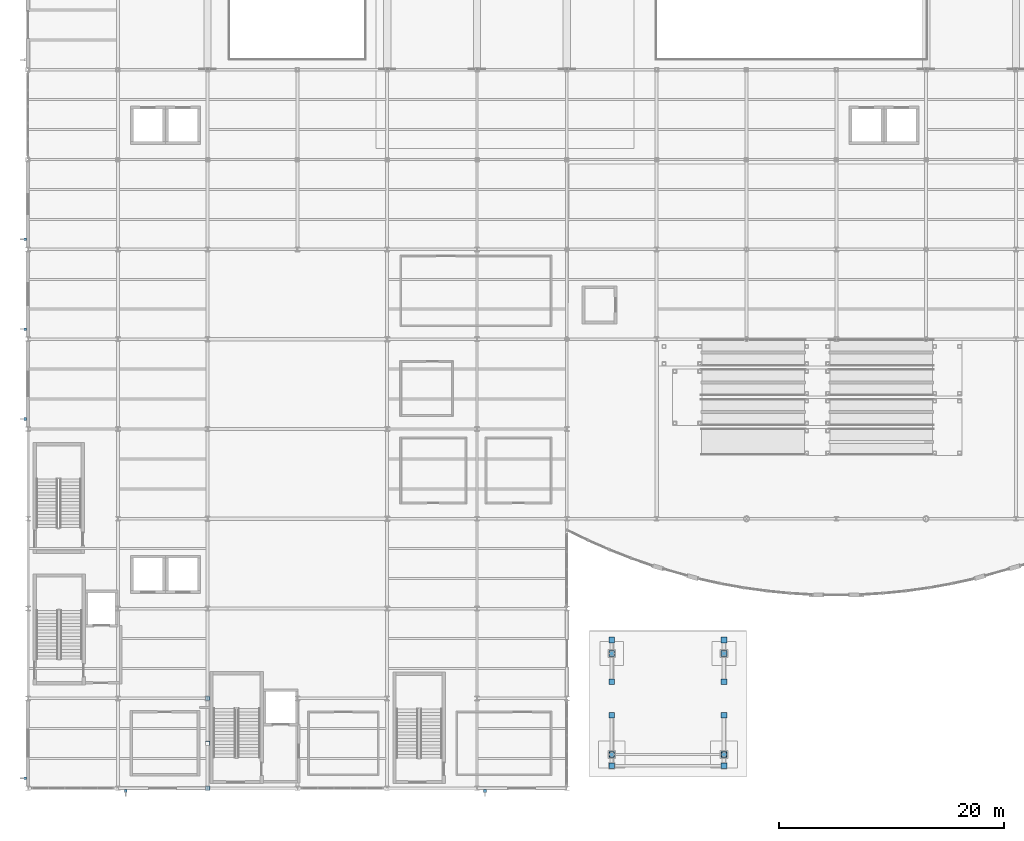
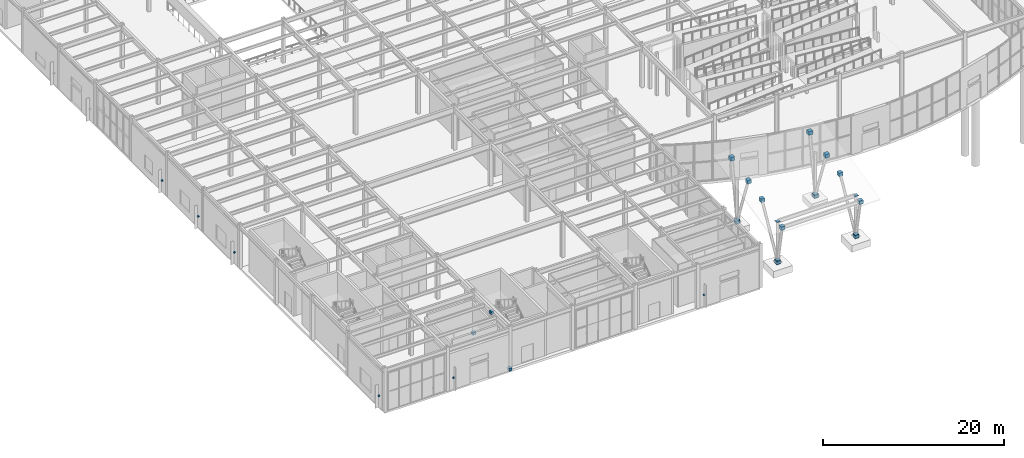
# One storey, part 67 of 82: 23 discrete accessories.
"""IFC4 building model written with IfcOpenShell, lengths in metres."""

from ifc_helpers import new_model, si_unit, direction, frame, origin, origin_2d, place, context, subcontext, project, spatial, rectangle, extrude, material, type_object, element, save


model = new_model("IFC4")

# Units and contexts
model_context = context("Model", 3, precision=1e-05, world=origin(), true_north=direction((0.0, 1.0)))
body_context = subcontext(model_context, "Body", "Model", "MODEL_VIEW")
ifc_project = project(units=[si_unit("LENGTHUNIT", "METRE"), si_unit("AREAUNIT", "SQUARE_METRE"), si_unit("VOLUMEUNIT", "CUBIC_METRE"), si_unit("PLANEANGLEUNIT", "RADIAN"), si_unit("MASSUNIT", "GRAM", prefix="KILO")], contexts=[model_context])

# Site, building, storey
site_placement = place(None, origin())
site = spatial("IfcSite", under=ifc_project, at=site_placement, CompositionType="ELEMENT")
building_placement = place(site_placement, origin())
building = spatial("IfcBuilding", under=site, at=building_placement, Name="Drelvath Fold Interchange", CompositionType="ELEMENT")
storey_placement = place(building_placement, origin())
storey = spatial("IfcBuildingStorey", under=building, at=storey_placement, Name="L00", CompositionType="ELEMENT", Elevation=0.0)

# Discrete accessories
ifc_material_1 = material(Name="Stainless Steel 316L", Category="steel")
discrete_accessory_type_1 = type_object("IfcDiscreteAccessoryType", Name="AC-BRK220", PredefinedType="BRACKET", material=ifc_material_1)
for number, where, z_axis, x_axis, name in (
    (1, (3.762939453125, 3.89208984375, 1.56982421875), (0.0, 0.0, 1.0), (1.0, 0.0, 0.0), "Solar fin bracket 15"),
    (2, (3.762939453125, 35.89306640625, 1.56982421875), (0.0, 0.0, 1.0), (1.0, 0.0, 0.0), "Solar fin bracket 16"),
    (3, (3.762939453125, 43.89306640625, 1.56982421875), (0.0, 0.0, 1.0), (1.0, 0.0, 0.0), "Solar fin bracket 17"),
    (4, (3.762939453125, 51.89306640625, 1.56982421875), (0.0, 0.0, 1.0), (1.0, 0.0, 0.0), "Solar fin bracket 18"),
    (5, (12.712890625, 2.75, 1.56982421875), (0.0, 0.0, 1.0), (0.0, 1.0, 0.0), "Solar fin bracket 19"),
    (6, (44.712890625, 2.75, 1.56982421875), (0.0, 0.0, 1.0), (0.0, 1.0, 0.0), "Solar fin bracket 20"),
):
    element("IfcDiscreteAccessory", number, at=place(storey_placement, frame(where, z_axis=z_axis, x_axis=x_axis)), inside=storey, type_object=discrete_accessory_type_1, Name=name, PredefinedType="BRACKET", context=body_context, shape_type="SweptSolid", body=[
        extrude(rectangle(XDim=0.239990234375, YDim=0.239990234375, at=origin_2d()), origin(), (0.0, 0.0, 1.0), 0.159912109375),
    ])
ifc_material_2 = material(Name="Steel ASTM A572 Grade 50", Category="steel")
discrete_accessory_type_2 = type_object("IfcDiscreteAccessoryType", Name="AC-CAP380", PredefinedType="BRACKET", material=ifc_material_2)
for number, where, z_axis, x_axis, name in (
    (7, (56.0, 6.0009765625, -0.012939453125), (0.0, 0.0, 1.0), (1.0, 0.0, 0.0), "Welded hollow member end cap 514"),
    (8, (56.0, 4.9990234375, 5.21484375), (0.0, 0.0, 1.0), (1.0, 0.0, 0.0), "Welded hollow member end cap 515"),
    (9, (56.0, 9.501953125, 6.2529296875), (0.0, 0.0, 1.0), (1.0, 0.0, 0.0), "Welded hollow member end cap 516"),
    (10, (66.0, 6.0009765625, -0.012939453125), (0.0, 0.0, 1.0), (1.0, 0.0, 0.0), "Welded hollow member end cap 517"),
    (11, (66.0, 4.9990234375, 5.21484375), (0.0, 0.0, 1.0), (1.0, 0.0, 0.0), "Welded hollow member end cap 518"),
    (12, (66.0, 9.501953125, 6.2529296875), (0.0, 0.0, 1.0), (1.0, 0.0, 0.0), "Welded hollow member end cap 519"),
    (13, (56.0, 15.001953125, -0.012939453125), (0.0, 0.0, 1.0), (1.0, 0.0, 0.0), "Welded hollow member end cap 520"),
    (14, (56.0, 12.498046875, 6.947021484375), (0.0, 0.0, 1.0), (1.0, 0.0, 0.0), "Welded hollow member end cap 521"),
    (15, (56.0, 16.200927734375, 7.801025390625), (0.0, 0.0, 1.0), (1.0, 0.0, 0.0), "Welded hollow member end cap 522"),
    (16, (66.0, 15.001953125, -0.012939453125), (0.0, 0.0, 1.0), (1.0, 0.0, 0.0), "Welded hollow member end cap 523"),
    (17, (66.0, 12.498046875, 6.947021484375), (0.0, 0.0, 1.0), (1.0, 0.0, 0.0), "Welded hollow member end cap 524"),
    (18, (66.0, 16.200927734375, 7.801025390625), (0.0, 0.0, 1.0), (1.0, 0.0, 0.0), "Welded hollow member end cap 525"),
):
    element("IfcDiscreteAccessory", number, at=place(storey_placement, frame(where, z_axis=z_axis, x_axis=x_axis)), inside=storey, type_object=discrete_accessory_type_2, Name=name, PredefinedType="BRACKET", context=body_context, shape_type="SweptSolid", body=[
        extrude(rectangle(XDim=0.49609375, YDim=0.49609375, at=origin_2d()), origin(), (0.0, 0.0, 1.0), 0.49609375),
    ])
for number, where, z_axis, x_axis, name in (
    (19, (56.0, 6.0, 5.67919921875), (0.0, 0.0, 1.0), (1.0, 0.0, 0.0), "Welded hollow column end cap 529"),
    (20, (66.0, 6.0, 5.67919921875), (0.0, 0.0, 1.0), (1.0, 0.0, 0.0), "Welded hollow column end cap 530"),
):
    element("IfcDiscreteAccessory", number, at=place(storey_placement, frame(where, z_axis=z_axis, x_axis=x_axis)), inside=storey, type_object=discrete_accessory_type_2, Name=name, PredefinedType="BRACKET", context=body_context, shape_type="SweptSolid", body=[
        extrude(rectangle(XDim=0.446044921875, YDim=0.446044921875, at=origin_2d()), origin(), (0.0, 0.0, 1.0), 0.030029296875),
    ])
for number, where, z_axis, x_axis, name in (
    (21, (20.0, 2.9970703125, -0.041015625), (0.0, 0.0, 1.0), (1.0, 0.0, 0.0), "Welded hollow member end cap 533"),
    (22, (20.0, 7.0029296875, 5.177001953125), (0.0, 0.0, 1.0), (1.0, 0.0, 0.0), "Welded hollow member end cap 534"),
    (23, (20.0, 11.0029296875, -0.041015625), (0.0, 0.0, 1.0), (1.0, 0.0, 0.0), "Welded hollow member end cap 535"),
):
    element("IfcDiscreteAccessory", number, at=place(storey_placement, frame(where, z_axis=z_axis, x_axis=x_axis)), inside=storey, type_object=discrete_accessory_type_2, Name=name, PredefinedType="BRACKET", context=body_context, shape_type="SweptSolid", body=[
        extrude(rectangle(XDim=0.39404296875, YDim=0.39404296875, at=origin_2d()), origin(), (0.0, 0.0, 1.0), 0.39404296875),
    ])

save(model, "model.ifc")
